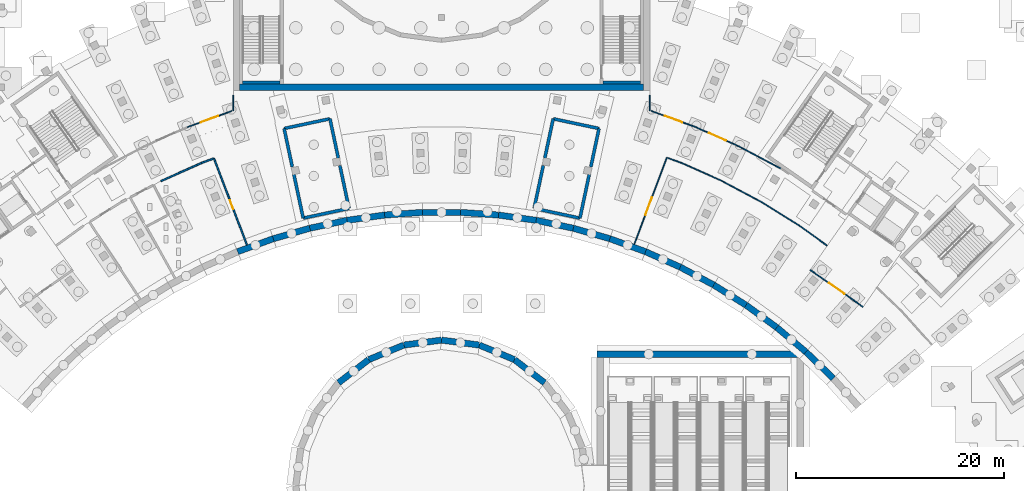
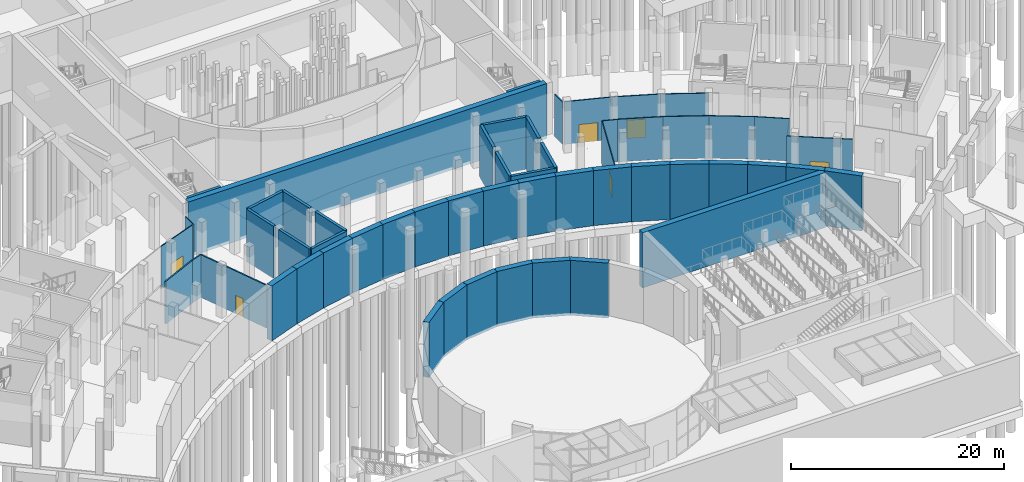
# One storey, part 22 of 66: 55 walls, 6 doors, 6 openings.
"""IFC4 building model written with IfcOpenShell, lengths in metres."""

from ifc_helpers import new_model, si_unit, direction, frame, frame_2d, origin, place, context, subcontext, project, spatial, rectangle, extrude, material, layer, layer_set, type_object, element, fill, save


model = new_model("IFC4")

# Units and contexts
model_context = context("Model", 3, precision=1e-05, world=origin(), true_north=direction((0.0, 1.0)))
body_context = subcontext(model_context, "Body", "Model", "MODEL_VIEW")
ifc_project = project(units=[si_unit("LENGTHUNIT", "METRE"), si_unit("AREAUNIT", "SQUARE_METRE"), si_unit("VOLUMEUNIT", "CUBIC_METRE"), si_unit("PLANEANGLEUNIT", "RADIAN"), si_unit("MASSUNIT", "GRAM", prefix="KILO")], contexts=[model_context])

# Site, building, storey
site_placement = place(None, origin())
site = spatial("IfcSite", under=ifc_project, at=site_placement, CompositionType="ELEMENT")
building_placement = place(site_placement, origin())
building = spatial("IfcBuilding", under=site, at=building_placement, Name="Lunette Opera House", CompositionType="ELEMENT")
storey_placement = place(building_placement, frame((0.0, 0.0, -6.0)))
storey = spatial("IfcBuildingStorey", under=building, at=storey_placement, Name="B1", CompositionType="ELEMENT", Elevation=-6.0)

# Wall, opening, door
ifc_material_1 = material(Name="Plastered clay blockwork", Category="masonry")
ifc_layer_1 = layer(ifc_material_1, 0.14990234375)
ifc_layer_set_1 = layer_set([ifc_layer_1], Name="Plastered clay blockwork")
wall_type_1 = type_object("IfcWallType", Name="BLOCK PARTITION 150", PredefinedType="PARTITIONING", material=ifc_layer_set_1)
wall_1_placement = place(storey_placement, frame((77.304931640625, 49.137939453125, 0.0), z_axis=(0.0, 0.0, 1.0), x_axis=(-0.355469099573, 0.934688033115, 0.0)))
wall_1 = element("IfcWall", 1, at=wall_1_placement, inside=storey, type_object=wall_type_1, Name="Partition Public WC Lower", PredefinedType="PARTITIONING", context=body_context, shape_type="SweptSolid", body=[
    extrude(rectangle(XDim=8.89501953125, YDim=0.14990234375, at=frame_2d((4.447509765625, 0.0))), origin(), (0.0, 0.0, 1.0), 4.8798828125),
])
opening_1_placement = place(wall_1_placement, frame((3.697998046875, 0.0, 0.0)))
opening_1 = element("IfcOpeningElement", 2, at=opening_1_placement, cuts=wall_1, Name="Opening FC-D3007", PredefinedType="OPENING", context=body_context, shape_type="SweptSolid", body=[
    extrude(rectangle(XDim=0.89990234375, YDim=2.10009765625, at=frame_2d((0.449951171875, 1.050048828125))), frame((0.0, 0.0869140625, 0.0), z_axis=(0.0, -1.0, 0.0), x_axis=(1.0, 0.0, 0.0)), (0.0, 0.0, 1.0), 0.173828125),
])
ifc_material_2 = material(Name="Timber", Category="wood")
door_type_1 = type_object("IfcDoorType", Name="FLUSH DOOR 900 X 2100", OperationType="SINGLE_SWING_LEFT", PredefinedType="DOOR", material=ifc_material_2)
door_1_placement = place(opening_1_placement, origin())
door_1 = element("IfcDoor", 3, at=door_1_placement, inside=storey, type_object=door_type_1, Name="Public WC Lower door", OperationType="SINGLE_SWING_LEFT", OverallHeight=2.10009765625, OverallWidth=0.89990234375, PredefinedType="DOOR", context=body_context, shape_type="SweptSolid", body=[
    extrude(rectangle(XDim=0.89990234375, YDim=2.10009765625, at=frame_2d((0.449951171875, 1.050048828125))), frame((0.0, 0.02490234375, 0.0), z_axis=(0.0, -1.0, 0.0), x_axis=(1.0, 0.0, 0.0)), (0.0, 0.0, 1.0), 0.050048828125),
])
fill(opening_1, door_1)

# Walls
wall_2_placement = place(storey_placement, frame((72.9619140625, 57.02197265625, 0.0), z_axis=(0.0, 0.0, 1.0), x_axis=(-0.913548703363, -0.406729352991, 0.0)))
element("IfcWall", 4, at=wall_2_placement, inside=storey, type_object=wall_type_1, Name="Partition Public WC Lower", PredefinedType="PARTITIONING", context=body_context, shape_type="SweptSolid", body=[
    extrude(rectangle(XDim=4.29296875, YDim=0.14990234375, at=frame_2d((2.146484375, 0.0))), origin(), (0.0, 0.0, 1.0), 4.8798828125),
])
wall_3_placement = place(storey_placement, frame((74.110107421875, 57.43994140625, 0.0), z_axis=(0.0, 0.0, 1.0), x_axis=(-0.939676695037, -0.342063895791, 0.0)))
element("IfcWall", 5, at=wall_3_placement, inside=storey, type_object=wall_type_1, Name="Partition Public WC Lower", PredefinedType="PARTITIONING", context=body_context, shape_type="SweptSolid", body=[
    extrude(rectangle(XDim=1.221923828125, YDim=0.14990234375, at=frame_2d((0.61083984375, 0.0))), origin(), (0.0, 0.0, 1.0), 4.8798828125),
])
ifc_material_3 = material(Name="Concrete C35/45", Category="concrete")
ifc_layer_2 = layer(ifc_material_3, 0.300048828125)
ifc_layer_set_2 = layer_set([ifc_layer_2], Name="Concrete C35/45")
wall_type_2 = type_object("IfcWallType", Name="RC STAIR ENCLOSURE WALL 300", PredefinedType="SOLIDWALL", material=ifc_layer_set_2)
for number, where, z_axis, x_axis, name in (
    (6, (76.89990234375, 64.75, 0.0), (0.0, 0.0, 1.0), (1.0, 0.0, 0.0), "ST7 enclosure wall 4"),
    (7, (111.5, 64.75, 0.0), (0.0, 0.0, 1.0), (1.0, 0.0, 0.0), "ST8 enclosure wall 4"),
):
    element("IfcWall", number, at=place(storey_placement, frame(where, z_axis=z_axis, x_axis=x_axis)), inside=storey, type_object=wall_type_2, Name=name, PredefinedType="SOLIDWALL", context=body_context, shape_type="SweptSolid", body=[
        extrude(rectangle(XDim=3.60009765625, YDim=0.300048828125, at=frame_2d((1.800048828125, 0.0))), origin(), (0.0, 0.0, 1.0), 6.0),
    ])
ifc_material_4 = material(Name="Concrete C35/45", Category="concrete")
ifc_layer_3 = layer(ifc_material_4, 0.300048828125)
ifc_layer_set_3 = layer_set([ifc_layer_3], Name="Concrete C35/45")
wall_type_3 = type_object("IfcWallType", Name="RC WALL 300", PredefinedType="SHEAR", material=ifc_layer_set_3)
wall_4_placement = place(storey_placement, frame((82.7080078125, 51.716064453125, 0.0), z_axis=(0.0, 0.0, 1.0), x_axis=(-0.207973544704, 0.97813445124, 0.0)))
element("IfcWall", 8, at=wall_4_placement, inside=storey, type_object=wall_type_3, Name="wall-FC-B1-GS-FW-1", PredefinedType="SHEAR", context=body_context, shape_type="SweptSolid", body=[
    extrude(rectangle(XDim=4.298828125, YDim=0.300048828125, at=frame_2d((2.1494140625, 0.0))), origin(), (0.0, 0.0, 1.0), 6.0),
])
wall_5_placement = place(storey_placement, frame((81.662109375, 56.633056640625, 0.0), z_axis=(0.0, 0.0, 1.0), x_axis=(-0.207823159368, 0.978166414487, 0.0)))
element("IfcWall", 9, at=wall_5_placement, inside=storey, type_object=wall_type_3, Name="wall-FC-B1-GS-FW-2", PredefinedType="SHEAR", context=body_context, shape_type="SweptSolid", body=[
    extrude(rectangle(XDim=3.773193359375, YDim=0.300048828125, at=frame_2d((1.88671875, 0.0))), origin(), (0.0, 0.0, 1.0), 6.0),
])
wall_6_placement = place(storey_placement, frame((80.8779296875, 60.323974609375, 0.0), z_axis=(0.0, 0.0, 1.0), x_axis=(0.978122844901, 0.208028123778, 0.0)))
element("IfcWall", 10, at=wall_6_placement, inside=storey, type_object=wall_type_3, Name="wall-FC-B1-GS-FW-3", PredefinedType="SHEAR", context=body_context, shape_type="SweptSolid", body=[
    extrude(rectangle(XDim=4.49951171875, YDim=0.300048828125, at=frame_2d((2.249755859375, 0.0))), origin(), (0.0, 0.0, 1.0), 6.0),
])
wall_7_placement = place(storey_placement, frame((85.279052734375, 61.260009765625, 0.0), z_axis=(0.0, 0.0, 1.0), x_axis=(0.208016461158, -0.978125325246, 0.0)))
element("IfcWall", 11, at=wall_7_placement, inside=storey, type_object=wall_type_3, Name="wall-FC-B1-GS-FW-4", PredefinedType="SHEAR", context=body_context, shape_type="SweptSolid", body=[
    extrude(rectangle(XDim=3.86962890625, YDim=0.300048828125, at=frame_2d((1.934814453125, 0.0))), origin(), (0.0, 0.0, 1.0), 6.0),
])
wall_8_placement = place(storey_placement, frame((86.235107421875, 56.762939453125, 0.0), z_axis=(0.0, 0.0, 1.0), x_axis=(0.207910168722, -0.978147924264, 0.0)))
element("IfcWall", 12, at=wall_8_placement, inside=storey, type_object=wall_type_3, Name="wall-FC-B1-GS-FW-5", PredefinedType="SHEAR", context=body_context, shape_type="SweptSolid", body=[
    extrude(rectangle(XDim=4.20263671875, YDim=0.300048828125, at=frame_2d((2.101318359375, 0.0))), origin(), (0.0, 0.0, 1.0), 6.0),
])
wall_9_placement = place(storey_placement, frame((87.10888671875, 52.652099609375, 0.0), z_axis=(0.0, 0.0, 1.0), x_axis=(-0.978120496628, -0.208039164766, 0.0)))
element("IfcWall", 13, at=wall_9_placement, inside=storey, type_object=wall_type_3, Name="wall-FC-B1-GS-FW-6", PredefinedType="SHEAR", context=body_context, shape_type="SweptSolid", body=[
    extrude(rectangle(XDim=4.499267578125, YDim=0.300048828125, at=frame_2d((2.24951171875, 0.0))), origin(), (0.0, 0.0, 1.0), 6.0),
])
wall_10_placement = place(storey_placement, frame((104.89111328125, 52.652099609375, 0.0), z_axis=(0.0, 0.0, 1.0), x_axis=(0.207910168722, 0.978147924264, 0.0)))
element("IfcWall", 14, at=wall_10_placement, inside=storey, type_object=wall_type_3, Name="wall-FC-B1-GS-FE-1", PredefinedType="SHEAR", context=body_context, shape_type="SweptSolid", body=[
    extrude(rectangle(XDim=4.20263671875, YDim=0.300048828125, at=frame_2d((2.101318359375, 0.0))), origin(), (0.0, 0.0, 1.0), 6.0),
])
wall_11_placement = place(storey_placement, frame((105.916015625, 57.47509765625, 0.0), z_axis=(0.0, 0.0, 1.0), x_axis=(0.208016461158, 0.978125325246, 0.0)))
element("IfcWall", 15, at=wall_11_placement, inside=storey, type_object=wall_type_3, Name="wall-FC-B1-GS-FE-2", PredefinedType="SHEAR", context=body_context, shape_type="SweptSolid", body=[
    extrude(rectangle(XDim=3.86962890625, YDim=0.300048828125, at=frame_2d((1.934814453125, 0.0))), origin(), (0.0, 0.0, 1.0), 6.0),
])
wall_12_placement = place(storey_placement, frame((106.720947265625, 61.260009765625, 0.0), z_axis=(0.0, 0.0, 1.0), x_axis=(0.978122844901, -0.208028123778, 0.0)))
element("IfcWall", 16, at=wall_12_placement, inside=storey, type_object=wall_type_3, Name="wall-FC-B1-GS-FE-3", PredefinedType="SHEAR", context=body_context, shape_type="SweptSolid", body=[
    extrude(rectangle(XDim=4.49951171875, YDim=0.300048828125, at=frame_2d((2.249755859375, 0.0))), origin(), (0.0, 0.0, 1.0), 6.0),
])
wall_13_placement = place(storey_placement, frame((111.1220703125, 60.323974609375, 0.0), z_axis=(0.0, 0.0, 1.0), x_axis=(-0.207823159368, -0.978166414487, 0.0)))
element("IfcWall", 17, at=wall_13_placement, inside=storey, type_object=wall_type_3, Name="wall-FC-B1-GS-FE-4", PredefinedType="SHEAR", context=body_context, shape_type="SweptSolid", body=[
    extrude(rectangle(XDim=3.773193359375, YDim=0.300048828125, at=frame_2d((1.88671875, 0.0))), origin(), (0.0, 0.0, 1.0), 6.0),
])
wall_14_placement = place(storey_placement, frame((110.18603515625, 55.9208984375, 0.0), z_axis=(0.0, 0.0, 1.0), x_axis=(-0.207973544704, -0.97813445124, 0.0)))
element("IfcWall", 18, at=wall_14_placement, inside=storey, type_object=wall_type_3, Name="wall-FC-B1-GS-FE-5", PredefinedType="SHEAR", context=body_context, shape_type="SweptSolid", body=[
    extrude(rectangle(XDim=4.298828125, YDim=0.300048828125, at=frame_2d((2.1494140625, 0.0))), origin(), (0.0, 0.0, 1.0), 6.0),
])
wall_15_placement = place(storey_placement, frame((109.2919921875, 51.716064453125, 0.0), z_axis=(0.0, 0.0, 1.0), x_axis=(-0.978120496628, 0.208039164766, 0.0)))
element("IfcWall", 19, at=wall_15_placement, inside=storey, type_object=wall_type_3, Name="wall-FC-B1-GS-FE-6", PredefinedType="SHEAR", context=body_context, shape_type="SweptSolid", body=[
    extrude(rectangle(XDim=4.499267578125, YDim=0.300048828125, at=frame_2d((2.24951171875, 0.0))), origin(), (0.0, 0.0, 1.0), 6.0),
])
ifc_material_5 = material(Name="Concrete C35/45", Category="concrete")
ifc_layer_4 = layer(ifc_material_5, 0.60009765625)
ifc_layer_set_4 = layer_set([ifc_layer_4], Name="Concrete C35/45")
wall_type_4 = type_object("IfcWallType", Name="RC WALL 600", PredefinedType="SHEAR", material=ifc_layer_set_4)
wall_16_placement = place(storey_placement, frame((76.60009765625, 64.300048828125, -0.300048828125), z_axis=(0.0, 0.0, 1.0), x_axis=(1.0, 0.0, 0.0)))
element("IfcWall", 20, at=wall_16_placement, inside=storey, type_object=wall_type_4, Name="wall-AU-B1-WS", PredefinedType="SHEAR", context=body_context, shape_type="SweptSolid", body=[
    extrude(rectangle(XDim=38.7998046875, YDim=0.60009765625, at=frame_2d((19.39990234375, 0.0))), origin(), (0.0, 0.0, 1.0), 6.300048828125),
])
ifc_material_6 = material(Name="Concrete C40/50", Category="concrete")
ifc_layer_5 = layer(ifc_material_6, 0.60009765625)
ifc_layer_set_5 = layer_set([ifc_layer_5], Name="Concrete C40/50")
wall_type_5 = type_object("IfcWallType", Name="RETAINING WALL 600", PredefinedType="SOLIDWALL", material=ifc_layer_set_5)
wall_17_placement = place(storey_placement, frame((76.407958984375, 48.491943359375, -0.300048828125), z_axis=(0.0, 0.0, 1.0), x_axis=(0.939723096949, 0.341936399146, 0.0)))
element("IfcWall", 21, at=wall_17_placement, inside=storey, type_object=wall_type_5, Name="wall-FC-B1-BW08", PredefinedType="SOLIDWALL", context=body_context, shape_type="SweptSolid", body=[
    extrude(rectangle(XDim=3.64990234375, YDim=0.60009765625, at=frame_2d((1.824951171875, 0.0))), origin(), (0.0, 0.0, 1.0), 6.300048828125),
])
wall_18_placement = place(storey_placement, frame((79.837890625, 49.739990234375, -0.300048828125), z_axis=(0.0, 0.0, 1.0), x_axis=(0.961268631978, 0.275613165823, 0.0)))
element("IfcWall", 22, at=wall_18_placement, inside=storey, type_object=wall_type_5, Name="wall-FC-B1-BW09", PredefinedType="SOLIDWALL", context=body_context, shape_type="SweptSolid", body=[
    extrude(rectangle(XDim=3.650390625, YDim=0.60009765625, at=frame_2d((1.8251953125, 0.0))), origin(), (0.0, 0.0, 1.0), 6.300048828125),
])
wall_19_placement = place(storey_placement, frame((83.346923828125, 50.74609375, -0.300048828125), z_axis=(0.0, 0.0, 1.0), x_axis=(0.978162080014, 0.207843559492, 0.0)))
element("IfcWall", 23, at=wall_19_placement, inside=storey, type_object=wall_type_5, Name="wall-FC-B1-BW10", PredefinedType="SOLIDWALL", context=body_context, shape_type="SweptSolid", body=[
    extrude(rectangle(XDim=3.65087890625, YDim=0.60009765625, at=frame_2d((1.825439453125, 0.0))), origin(), (0.0, 0.0, 1.0), 6.300048828125),
])
wall_20_placement = place(storey_placement, frame((86.91796875, 51.5048828125, -0.300048828125), z_axis=(0.0, 0.0, 1.0), x_axis=(0.990267959421, 0.139173878811, 0.0)))
element("IfcWall", 24, at=wall_20_placement, inside=storey, type_object=wall_type_5, Name="wall-FC-B1-BW11", PredefinedType="SOLIDWALL", context=body_context, shape_type="SweptSolid", body=[
    extrude(rectangle(XDim=3.650634765625, YDim=0.60009765625, at=frame_2d((1.8251953125, 0.0))), origin(), (0.0, 0.0, 1.0), 6.300048828125),
])
wall_21_placement = place(storey_placement, frame((90.532958984375, 52.012939453125, -0.300048828125), z_axis=(0.0, 0.0, 1.0), x_axis=(0.997555518989, 0.069878369577, 0.0)))
element("IfcWall", 25, at=wall_21_placement, inside=storey, type_object=wall_type_5, Name="wall-FC-B1-BW12", PredefinedType="SOLIDWALL", context=body_context, shape_type="SweptSolid", body=[
    extrude(rectangle(XDim=3.651123046875, YDim=0.60009765625, at=frame_2d((1.82568359375, 0.0))), origin(), (0.0, 0.0, 1.0), 6.300048828125),
])
wall_22_placement = place(storey_placement, frame((94.175048828125, 52.26806640625, -0.300048828125), z_axis=(0.0, 0.0, 1.0), x_axis=(1.0, 0.0, 0.0)))
element("IfcWall", 26, at=wall_22_placement, inside=storey, type_object=wall_type_5, Name="wall-FC-B1-BW13", PredefinedType="SOLIDWALL", context=body_context, shape_type="SweptSolid", body=[
    extrude(rectangle(XDim=3.64990234375, YDim=0.60009765625, at=frame_2d((1.824951171875, 0.0))), origin(), (0.0, 0.0, 1.0), 6.300048828125),
])
wall_23_placement = place(storey_placement, frame((97.824951171875, 52.26806640625, -0.300048828125), z_axis=(0.0, 0.0, 1.0), x_axis=(0.997555518989, -0.069878369577, 0.0)))
element("IfcWall", 27, at=wall_23_placement, inside=storey, type_object=wall_type_5, Name="wall-FC-B1-BW14", PredefinedType="SOLIDWALL", context=body_context, shape_type="SweptSolid", body=[
    extrude(rectangle(XDim=3.651123046875, YDim=0.60009765625, at=frame_2d((1.82568359375, 0.0))), origin(), (0.0, 0.0, 1.0), 6.300048828125),
])
wall_24_placement = place(storey_placement, frame((101.467041015625, 52.012939453125, -0.300048828125), z_axis=(0.0, 0.0, 1.0), x_axis=(0.990267959421, -0.139173878811, 0.0)))
element("IfcWall", 28, at=wall_24_placement, inside=storey, type_object=wall_type_5, Name="wall-FC-B1-BW15", PredefinedType="SOLIDWALL", context=body_context, shape_type="SweptSolid", body=[
    extrude(rectangle(XDim=3.650634765625, YDim=0.60009765625, at=frame_2d((1.8251953125, 0.0))), origin(), (0.0, 0.0, 1.0), 6.300048828125),
])
wall_25_placement = place(storey_placement, frame((105.08203125, 51.5048828125, -0.300048828125), z_axis=(0.0, 0.0, 1.0), x_axis=(0.978162080014, -0.207843559492, 0.0)))
element("IfcWall", 29, at=wall_25_placement, inside=storey, type_object=wall_type_5, Name="wall-FC-B1-BW16", PredefinedType="SOLIDWALL", context=body_context, shape_type="SweptSolid", body=[
    extrude(rectangle(XDim=3.65087890625, YDim=0.60009765625, at=frame_2d((1.825439453125, 0.0))), origin(), (0.0, 0.0, 1.0), 6.300048828125),
])
wall_26_placement = place(storey_placement, frame((108.653076171875, 50.74609375, -0.300048828125), z_axis=(0.0, 0.0, 1.0), x_axis=(0.961268631978, -0.275613165823, 0.0)))
element("IfcWall", 30, at=wall_26_placement, inside=storey, type_object=wall_type_5, Name="wall-FC-B1-BW17", PredefinedType="SOLIDWALL", context=body_context, shape_type="SweptSolid", body=[
    extrude(rectangle(XDim=3.650390625, YDim=0.60009765625, at=frame_2d((1.8251953125, 0.0))), origin(), (0.0, 0.0, 1.0), 6.300048828125),
])
wall_27_placement = place(storey_placement, frame((112.162109375, 49.739990234375, -0.300048828125), z_axis=(0.0, 0.0, 1.0), x_axis=(0.939723096949, -0.341936399146, 0.0)))
element("IfcWall", 31, at=wall_27_placement, inside=storey, type_object=wall_type_5, Name="wall-FC-B1-BW18", PredefinedType="SOLIDWALL", context=body_context, shape_type="SweptSolid", body=[
    extrude(rectangle(XDim=3.64990234375, YDim=0.60009765625, at=frame_2d((1.824951171875, 0.0))), origin(), (0.0, 0.0, 1.0), 6.300048828125),
])
wall_28_placement = place(storey_placement, frame((115.592041015625, 48.491943359375, -0.300048828125), z_axis=(0.0, 0.0, 1.0), x_axis=(0.913541080102, -0.40674647505, 0.0)))
element("IfcWall", 32, at=wall_28_placement, inside=storey, type_object=wall_type_5, Name="wall-FC-B1-BW19", PredefinedType="SOLIDWALL", context=body_context, shape_type="SweptSolid", body=[
    extrude(rectangle(XDim=3.650634765625, YDim=0.60009765625, at=frame_2d((1.8251953125, 0.0))), origin(), (0.0, 0.0, 1.0), 6.300048828125),
])
wall_29_placement = place(storey_placement, frame((118.927001953125, 47.007080078125, -0.300048828125), z_axis=(0.0, 0.0, 1.0), x_axis=(0.882894807692, -0.469570823786, 0.0)))
element("IfcWall", 33, at=wall_29_placement, inside=storey, type_object=wall_type_5, Name="wall-FC-B1-BW20", PredefinedType="SOLIDWALL", context=body_context, shape_type="SweptSolid", body=[
    extrude(rectangle(XDim=3.650390625, YDim=0.60009765625, at=frame_2d((1.8251953125, 0.0))), origin(), (0.0, 0.0, 1.0), 6.300048828125),
])
wall_30_placement = place(storey_placement, frame((122.14990234375, 45.29296875, -0.300048828125), z_axis=(0.0, 0.0, 1.0), x_axis=(0.84812602074, -0.529794538424, 0.0)))
element("IfcWall", 34, at=wall_30_placement, inside=storey, type_object=wall_type_5, Name="wall-FC-B1-BW21", PredefinedType="SOLIDWALL", context=body_context, shape_type="SweptSolid", body=[
    extrude(rectangle(XDim=3.650634765625, YDim=0.60009765625, at=frame_2d((1.8251953125, 0.0))), origin(), (0.0, 0.0, 1.0), 6.300048828125),
])
wall_31_placement = place(storey_placement, frame((125.24609375, 43.35888671875, -0.300048828125), z_axis=(0.0, 0.0, 1.0), x_axis=(0.808938490191, -0.587893288861, 0.0)))
element("IfcWall", 35, at=wall_31_placement, inside=storey, type_object=wall_type_5, Name="wall-FC-B1-BW22", PredefinedType="SOLIDWALL", context=body_context, shape_type="SweptSolid", body=[
    extrude(rectangle(XDim=3.650390625, YDim=0.60009765625, at=frame_2d((1.8251953125, 0.0))), origin(), (0.0, 0.0, 1.0), 6.300048828125),
])
wall_32_placement = place(storey_placement, frame((128.198974609375, 41.212890625, -0.300048828125), z_axis=(0.0, 0.0, 1.0), x_axis=(0.766063027659, -0.642765460844, 0.0)))
element("IfcWall", 36, at=wall_32_placement, inside=storey, type_object=wall_type_5, Name="wall-FC-B1-BW23", PredefinedType="SOLIDWALL", context=body_context, shape_type="SweptSolid", body=[
    extrude(rectangle(XDim=3.6513671875, YDim=0.60009765625, at=frame_2d((1.82568359375, 0.0))), origin(), (0.0, 0.0, 1.0), 6.300048828125),
])
wall_33_placement = place(storey_placement, frame((130.99609375, 38.865966796875, -0.300048828125), z_axis=(0.0, 0.0, 1.0), x_axis=(0.719342665611, -0.69465540337, 0.0)))
element("IfcWall", 37, at=wall_33_placement, inside=storey, type_object=wall_type_5, Name="wall-FC-B1-BW24", PredefinedType="SOLIDWALL", context=body_context, shape_type="SweptSolid", body=[
    extrude(rectangle(XDim=3.649169921875, YDim=0.60009765625, at=frame_2d((1.82470703125, 0.0))), origin(), (0.0, 0.0, 1.0), 6.300048828125),
])
wall_34_placement = place(storey_placement, frame((96.0, 40.0, -0.300048828125), z_axis=(0.0, 0.0, 1.0), x_axis=(0.991442466905, -0.130544378729, 0.0)))
element("IfcWall", 38, at=wall_34_placement, inside=storey, type_object=wall_type_5, Name="wall-SF-B1-CW01", PredefinedType="SOLIDWALL", context=body_context, shape_type="SweptSolid", body=[
    extrude(rectangle(XDim=3.654296875, YDim=0.60009765625, at=frame_2d((1.8271484375, 0.0))), origin(), (0.0, 0.0, 1.0), 6.300048828125),
])
wall_35_placement = place(storey_placement, frame((99.623046875, 39.52294921875, -0.300048828125), z_axis=(0.0, 0.0, 1.0), x_axis=(0.923865410288, -0.382717524649, 0.0)))
element("IfcWall", 39, at=wall_35_placement, inside=storey, type_object=wall_type_5, Name="wall-SF-B1-CW02", PredefinedType="SOLIDWALL", context=body_context, shape_type="SweptSolid", body=[
    extrude(rectangle(XDim=3.6552734375, YDim=0.60009765625, at=frame_2d((1.82763671875, 0.0))), origin(), (0.0, 0.0, 1.0), 6.300048828125),
])
for number, where, z_axis, x_axis, name in (
    (40, (103.0, 38.1240234375, -0.300048828125), (0.0, 0.0, 1.0), (0.793264300938, -0.608877449785, 0.0), "wall-SF-B1-CW03"),
    (41, (86.10107421875, 35.89892578125, -0.300048828125), (0.0, 0.0, 1.0), (0.793264300938, 0.608877449785, 0.0), "wall-SF-B1-CW22"),
):
    element("IfcWall", number, at=place(storey_placement, frame(where, z_axis=z_axis, x_axis=x_axis)), inside=storey, type_object=wall_type_5, Name=name, PredefinedType="SOLIDWALL", context=body_context, shape_type="SweptSolid", body=[
        extrude(rectangle(XDim=3.654541015625, YDim=0.60009765625, at=frame_2d((1.8271484375, 0.0))), origin(), (0.0, 0.0, 1.0), 6.300048828125),
    ])
wall_36_placement = place(storey_placement, frame((89.0, 38.1240234375, -0.300048828125), z_axis=(0.0, 0.0, 1.0), x_axis=(0.923865410288, 0.382717524649, 0.0)))
element("IfcWall", 42, at=wall_36_placement, inside=storey, type_object=wall_type_5, Name="wall-SF-B1-CW23", PredefinedType="SOLIDWALL", context=body_context, shape_type="SweptSolid", body=[
    extrude(rectangle(XDim=3.6552734375, YDim=0.60009765625, at=frame_2d((1.82763671875, 0.0))), origin(), (0.0, 0.0, 1.0), 6.300048828125),
])
wall_37_placement = place(storey_placement, frame((92.376953125, 39.52294921875, -0.300048828125), z_axis=(0.0, 0.0, 1.0), x_axis=(0.991442466905, 0.130544378729, 0.0)))
element("IfcWall", 43, at=wall_37_placement, inside=storey, type_object=wall_type_5, Name="wall-SF-B1-CW24", PredefinedType="SOLIDWALL", context=body_context, shape_type="SweptSolid", body=[
    extrude(rectangle(XDim=3.654296875, YDim=0.60009765625, at=frame_2d((1.8271484375, 0.0))), origin(), (0.0, 0.0, 1.0), 6.300048828125),
])
wall_38_placement = place(storey_placement, frame((110.949951171875, 38.64990234375, -0.300048828125), z_axis=(0.0, 0.0, 1.0), x_axis=(1.0, 0.0, 0.0)))
element("IfcWall", 44, at=wall_38_placement, inside=storey, type_object=wall_type_5, Name="wall-SF-B1-RPN", PredefinedType="SOLIDWALL", context=body_context, shape_type="SweptSolid", body=[
    extrude(rectangle(XDim=19.800048828125, YDim=0.60009765625, at=frame_2d((9.89990234375, 0.0))), origin(), (0.0, 0.0, 1.0), 6.300048828125),
])

# Wall, opening, door
ifc_material_7 = material(Name="Gypsum board on steel studs", Category="steel")
ifc_layer_6 = layer(ifc_material_7, 0.10009765625)
ifc_layer_set_6 = layer_set([ifc_layer_6], Name="Gypsum board on steel studs")
wall_type_6 = type_object("IfcWallType", Name="STUD PARTITION 100", PredefinedType="PARTITIONING", material=ifc_layer_set_6)
wall_39_placement = place(storey_placement, frame((114.510009765625, 49.2060546875, 0.0), z_axis=(0.0, 0.0, 1.0), x_axis=(0.35216710821, 0.935937138859, 0.0)))
wall_39 = element("IfcWall", 45, at=wall_39_placement, inside=storey, type_object=wall_type_6, Name="Partition Lower Foyer", PredefinedType="PARTITIONING", context=body_context, shape_type="SweptSolid", body=[
    extrude(rectangle(XDim=8.893798828125, YDim=0.10009765625, at=frame_2d((4.44677734375, 0.0))), origin(), (0.0, 0.0, 1.0), 4.8798828125),
])
opening_2_placement = place(wall_39_placement, frame((2.9970703125, 0.0, 0.0)))
opening_2 = element("IfcOpeningElement", 46, at=opening_2_placement, cuts=wall_39, Name="Opening FC-D3003", PredefinedType="OPENING", context=body_context, shape_type="SweptSolid", body=[
    extrude(rectangle(XDim=1.800048828125, YDim=2.10009765625, at=frame_2d((0.89990234375, 1.050048828125))), frame((0.0, 0.06201171875, 0.0), z_axis=(0.0, -1.0, 0.0), x_axis=(1.0, 0.0, 0.0)), (0.0, 0.0, 1.0), 0.1240234375),
])
ifc_material_8 = material(Name="Timber", Category="wood")
door_type_2 = type_object("IfcDoorType", Name="DOUBLE FLUSH DOOR 1800 X 2100", OperationType="DOUBLE_DOOR_SINGLE_SWING", PredefinedType="DOOR", material=ifc_material_8)
door_2_placement = place(opening_2_placement, origin())
door_2 = element("IfcDoor", 47, at=door_2_placement, inside=storey, type_object=door_type_2, Name="Exhibition Gallery door", OperationType="DOUBLE_DOOR_SINGLE_SWING", OverallHeight=2.10009765625, OverallWidth=1.800048828125, PredefinedType="DOOR", context=body_context, shape_type="SweptSolid", body=[
    extrude(rectangle(XDim=1.800048828125, YDim=2.10009765625, at=frame_2d((0.89990234375, 1.050048828125))), frame((0.0, 0.02490234375, 0.0), z_axis=(0.0, -1.0, 0.0), x_axis=(1.0, 0.0, 0.0)), (0.0, 0.0, 1.0), 0.050048828125),
])
fill(opening_2, door_2)

wall_40_placement = place(storey_placement, frame((131.4140625, 46.739990234375, 0.0), z_axis=(0.0, 0.0, 1.0), x_axis=(0.81912644488, -0.573612994359, 0.0)))
wall_40 = element("IfcWall", 48, at=wall_40_placement, inside=storey, type_object=wall_type_6, Name="Partition Open Lift Lobby B1 East", PredefinedType="PARTITIONING", context=body_context, shape_type="SweptSolid", body=[
    extrude(rectangle(XDim=6.19921875, YDim=0.10009765625, at=frame_2d((3.099609375, 0.0))), origin(), (0.0, 0.0, 1.0), 4.8798828125),
])
opening_3_placement = place(wall_40_placement, frame((2.199951171875, 0.0, 0.0)))
opening_3 = element("IfcOpeningElement", 49, at=opening_3_placement, cuts=wall_40, Name="Opening FC-D3004", PredefinedType="OPENING", context=body_context, shape_type="SweptSolid", body=[
    extrude(rectangle(XDim=1.800048828125, YDim=2.10009765625, at=frame_2d((0.89990234375, 1.050048828125))), frame((0.0, 0.06201171875, 0.0), z_axis=(0.0, -1.0, 0.0), x_axis=(1.0, 0.0, 0.0)), (0.0, 0.0, 1.0), 0.1240234375),
])
door_3_placement = place(opening_3_placement, origin())
door_3 = element("IfcDoor", 50, at=door_3_placement, inside=storey, type_object=door_type_2, Name="Exhibition Gallery door", OperationType="DOUBLE_DOOR_SINGLE_SWING", OverallHeight=2.10009765625, OverallWidth=1.800048828125, PredefinedType="DOOR", context=body_context, shape_type="SweptSolid", body=[
    extrude(rectangle(XDim=1.800048828125, YDim=2.10009765625, at=frame_2d((0.89990234375, 1.050048828125))), frame((0.0, 0.02490234375, 0.0), z_axis=(0.0, -1.0, 0.0), x_axis=(1.0, 0.0, 0.0)), (0.0, 0.0, 1.0), 0.050048828125),
])
fill(opening_3, door_3)

wall_41_placement = place(storey_placement, frame((124.58203125, 58.60107421875, 0.0), z_axis=(0.0, 0.0, 1.0), x_axis=(-0.91357913429, 0.406660995658, 0.0)))
wall_41 = element("IfcWall", 51, at=wall_41_placement, inside=storey, type_object=wall_type_6, Name="Partition Lower Foyer", PredefinedType="PARTITIONING", context=body_context, shape_type="SweptSolid", body=[
    extrude(rectangle(XDim=4.55126953125, YDim=0.10009765625, at=frame_2d((2.275634765625, 0.0))), origin(), (0.0, 0.0, 1.0), 4.8798828125),
])
opening_4_placement = place(wall_41_placement, frame((1.3759765625, 0.0, 0.0)))
opening_4 = element("IfcOpeningElement", 52, at=opening_4_placement, cuts=wall_41, Name="Opening FC-D3001", PredefinedType="OPENING", context=body_context, shape_type="SweptSolid", body=[
    extrude(rectangle(XDim=1.800048828125, YDim=2.10009765625, at=frame_2d((0.89990234375, 1.050048828125))), frame((0.0, 0.06201171875, 0.0), z_axis=(0.0, -1.0, 0.0), x_axis=(1.0, 0.0, 0.0)), (0.0, 0.0, 1.0), 0.1240234375),
])
door_4_placement = place(opening_4_placement, origin())
door_4 = element("IfcDoor", 53, at=door_4_placement, inside=storey, type_object=door_type_2, Name="Cloakroom Lower door", OperationType="DOUBLE_DOOR_SINGLE_SWING", OverallHeight=2.10009765625, OverallWidth=1.800048828125, PredefinedType="DOOR", context=body_context, shape_type="SweptSolid", body=[
    extrude(rectangle(XDim=1.800048828125, YDim=2.10009765625, at=frame_2d((0.89990234375, 1.050048828125))), frame((0.0, 0.02490234375, 0.0), z_axis=(0.0, -1.0, 0.0), x_axis=(1.0, 0.0, 0.0)), (0.0, 0.0, 1.0), 0.050048828125),
])
fill(opening_4, door_4)

wall_42_placement = place(storey_placement, frame((75.85205078125, 62.009033203125, 0.0), z_axis=(0.0, 0.0, 1.0), x_axis=(-0.939639825715, -0.342165161771, 0.0)))
wall_42 = element("IfcWall", 54, at=wall_42_placement, inside=storey, type_object=wall_type_6, Name="Partition Lower Foyer", PredefinedType="PARTITIONING", context=body_context, shape_type="SweptSolid", body=[
    extrude(rectangle(XDim=4.55078125, YDim=0.10009765625, at=frame_2d((2.275390625, 0.0))), origin(), (0.0, 0.0, 1.0), 4.8798828125),
])
opening_5_placement = place(wall_42_placement, frame((1.375, 0.0, 0.0)))
opening_5 = element("IfcOpeningElement", 55, at=opening_5_placement, cuts=wall_42, Name="Opening FC-D3006", PredefinedType="OPENING", context=body_context, shape_type="SweptSolid", body=[
    extrude(rectangle(XDim=1.800048828125, YDim=2.10009765625, at=frame_2d((0.89990234375, 1.050048828125))), frame((0.0, 0.06201171875, 0.0), z_axis=(0.0, -1.0, 0.0), x_axis=(1.0, 0.0, 0.0)), (0.0, 0.0, 1.0), 0.1240234375),
])
door_5_placement = place(opening_5_placement, origin())
door_5 = element("IfcDoor", 56, at=door_5_placement, inside=storey, type_object=door_type_2, Name="Community Room door", OperationType="DOUBLE_DOOR_SINGLE_SWING", OverallHeight=2.10009765625, OverallWidth=1.800048828125, PredefinedType="DOOR", context=body_context, shape_type="SweptSolid", body=[
    extrude(rectangle(XDim=1.800048828125, YDim=2.10009765625, at=frame_2d((0.89990234375, 1.050048828125))), frame((0.0, 0.02490234375, 0.0), z_axis=(0.0, -1.0, 0.0), x_axis=(1.0, 0.0, 0.0)), (0.0, 0.0, 1.0), 0.050048828125),
])
fill(opening_5, door_5)

wall_43_placement = place(storey_placement, frame((120.424072265625, 60.451904296875, 0.0), z_axis=(0.0, 0.0, 1.0), x_axis=(-0.939639825715, 0.342165161771, 0.0)))
wall_43 = element("IfcWall", 57, at=wall_43_placement, inside=storey, type_object=wall_type_6, Name="Partition Lower Foyer", PredefinedType="PARTITIONING", context=body_context, shape_type="SweptSolid", body=[
    extrude(rectangle(XDim=4.55078125, YDim=0.10009765625, at=frame_2d((2.275390625, 0.0))), origin(), (0.0, 0.0, 1.0), 4.8798828125),
])
opening_6_placement = place(wall_43_placement, frame((1.375, 0.0, 0.0)))
opening_6 = element("IfcOpeningElement", 58, at=opening_6_placement, cuts=wall_43, Name="Opening FC-D3002", PredefinedType="OPENING", context=body_context, shape_type="SweptSolid", body=[
    extrude(rectangle(XDim=1.800048828125, YDim=2.10009765625, at=frame_2d((0.89990234375, 1.050048828125))), frame((0.0, 0.06201171875, 0.0), z_axis=(0.0, -1.0, 0.0), x_axis=(1.0, 0.0, 0.0)), (0.0, 0.0, 1.0), 0.1240234375),
])
door_6_placement = place(opening_6_placement, origin())
door_6 = element("IfcDoor", 59, at=door_6_placement, inside=storey, type_object=door_type_2, Name="Cloakroom Lower door", OperationType="DOUBLE_DOOR_SINGLE_SWING", OverallHeight=2.10009765625, OverallWidth=1.800048828125, PredefinedType="DOOR", context=body_context, shape_type="SweptSolid", body=[
    extrude(rectangle(XDim=1.800048828125, YDim=2.10009765625, at=frame_2d((0.89990234375, 1.050048828125))), frame((0.0, 0.02490234375, 0.0), z_axis=(0.0, -1.0, 0.0), x_axis=(1.0, 0.0, 0.0)), (0.0, 0.0, 1.0), 0.050048828125),
])
fill(opening_6, door_6)

# Walls
wall_44_placement = place(storey_placement, frame((128.60009765625, 56.465087890625, 0.0), z_axis=(0.0, 0.0, 1.0), x_axis=(-0.882989262106, 0.469393185938, 0.0)))
element("IfcWall", 60, at=wall_44_placement, inside=storey, type_object=wall_type_6, Name="Partition Lower Foyer", PredefinedType="PARTITIONING", context=body_context, shape_type="SweptSolid", body=[
    extrude(rectangle(XDim=4.550537109375, YDim=0.10009765625, at=frame_2d((2.275390625, 0.0))), origin(), (0.0, 0.0, 1.0), 4.8798828125),
])
wall_45_placement = place(storey_placement, frame((119.0380859375, 57.02197265625, 0.0), z_axis=(0.0, 0.0, 1.0), x_axis=(0.913548703363, -0.406729352991, 0.0)))
element("IfcWall", 61, at=wall_45_placement, inside=storey, type_object=wall_type_6, Name="Partition Lower Foyer", PredefinedType="PARTITIONING", context=body_context, shape_type="SweptSolid", body=[
    extrude(rectangle(XDim=4.29296875, YDim=0.10009765625, at=frame_2d((2.146484375, 0.0))), origin(), (0.0, 0.0, 1.0), 4.8798828125),
])
for number, where, z_axis, x_axis, name in (
    (62, (126.75, 53.260986328125, 0.0), (0.0, 0.0, 1.0), (0.848001499411, -0.52999382732, 0.0), "Partition Lower Foyer"),
    (63, (122.9599609375, 55.27587890625, 0.0), (0.0, 0.0, 1.0), (0.882977232612, -0.469415814271, 0.0), "Partition Lower Foyer"),
):
    element("IfcWall", number, at=place(storey_placement, frame(where, z_axis=z_axis, x_axis=x_axis)), inside=storey, type_object=wall_type_6, Name=name, PredefinedType="PARTITIONING", context=body_context, shape_type="SweptSolid", body=[
        extrude(rectangle(XDim=4.292236328125, YDim=0.10009765625, at=frame_2d((2.14599609375, 0.0))), origin(), (0.0, 0.0, 1.0), 4.8798828125),
    ])
wall_46_placement = place(storey_placement, frame((130.389892578125, 50.986083984375, 0.0), z_axis=(0.0, 0.0, 1.0), x_axis=(0.808971364307, -0.587848051567, 0.0)))
element("IfcWall", 64, at=wall_46_placement, inside=storey, type_object=wall_type_6, Name="Partition Lower Foyer", PredefinedType="PARTITIONING", context=body_context, shape_type="SweptSolid", body=[
    extrude(rectangle(XDim=3.274658203125, YDim=0.10009765625, at=frame_2d((1.63720703125, 0.0))), origin(), (0.0, 0.0, 1.0), 4.8798828125),
])
for number, where, z_axis, x_axis, name in (
    (65, (76.0, 63.5, 0.0), (0.0, 0.0, 1.0), (0.0, -1.0, 0.0), "Partition Lower Foyer"),
    (66, (116.0, 62.051025390625, 0.0), (0.0, 0.0, 1.0), (0.0, 1.0, 0.0), "Partition Lower Foyer"),
):
    element("IfcWall", number, at=place(storey_placement, frame(where, z_axis=z_axis, x_axis=x_axis)), inside=storey, type_object=wall_type_6, Name=name, PredefinedType="PARTITIONING", context=body_context, shape_type="SweptSolid", body=[
        extrude(rectangle(XDim=1.448974609375, YDim=0.10009765625, at=frame_2d((0.724609375, 0.0))), origin(), (0.0, 0.0, 1.0), 4.8798828125),
    ])
wall_47_placement = place(storey_placement, frame((117.68505859375, 57.513916015625, 0.0), z_axis=(0.0, 0.0, 1.0), x_axis=(0.939808276259, -0.341702215204, 0.0)))
element("IfcWall", 67, at=wall_47_placement, inside=storey, type_object=wall_type_6, Name="Partition Lower Foyer", PredefinedType="PARTITIONING", context=body_context, shape_type="SweptSolid", body=[
    extrude(rectangle(XDim=1.439697265625, YDim=0.10009765625, at=frame_2d((0.7197265625, 0.0))), origin(), (0.0, 0.0, 1.0), 4.8798828125),
])

save(model, "model.ifc")
